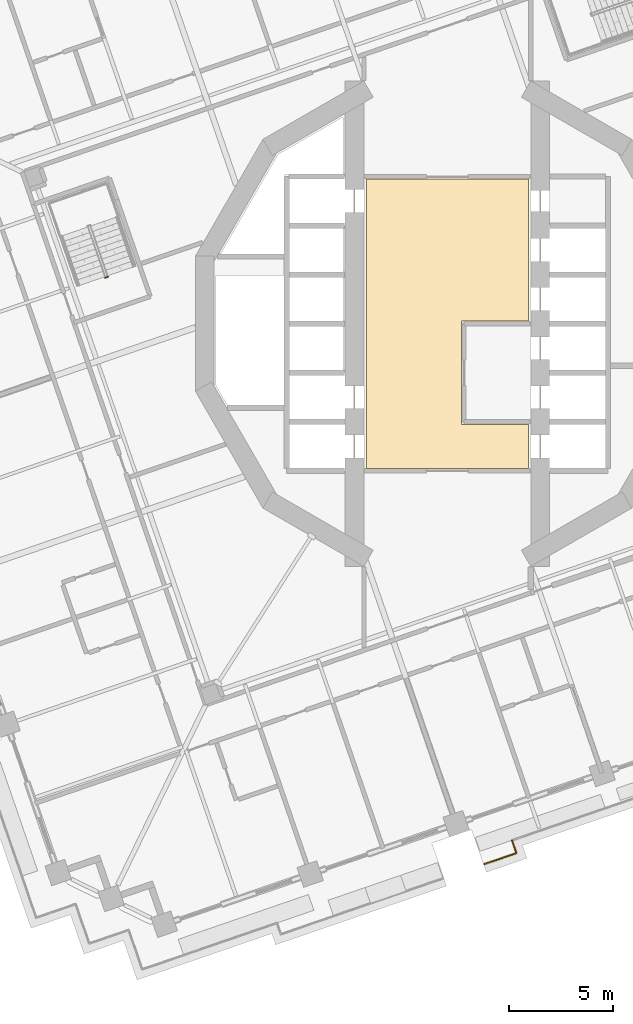
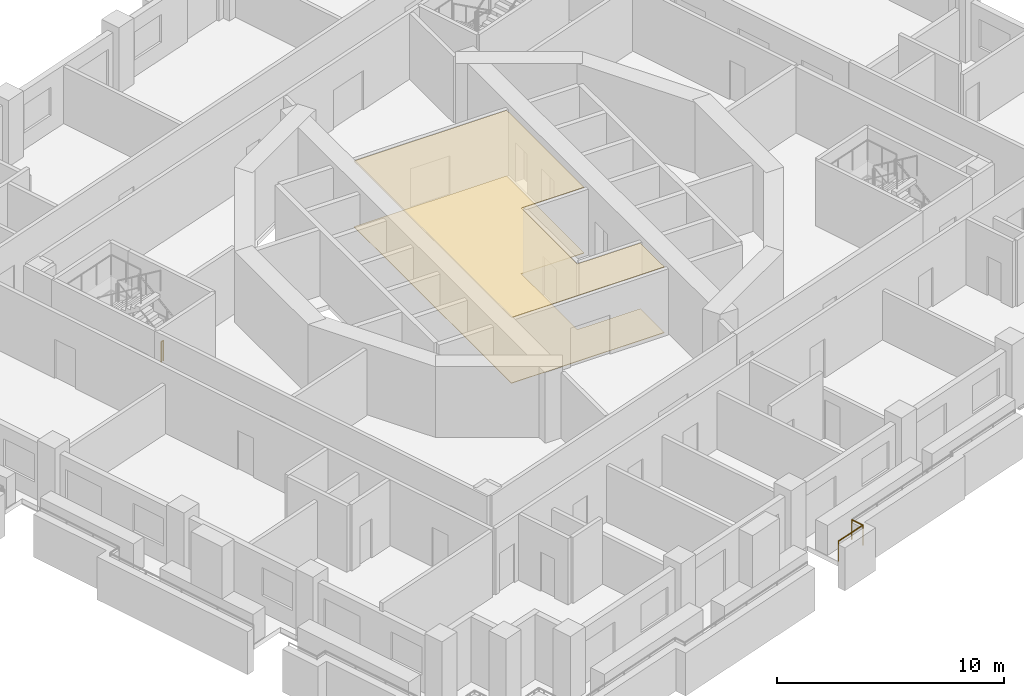
# One storey, part 13 of 19: 2 coverings, 2 railings.
"""IFC4 building model written with IfcOpenShell, lengths in metres."""

from ifc_helpers import new_model, si_unit, direction, frame, origin, origin_2d, place, context, subcontext, project, spatial, polyline, circle, outline, extrude, material, layer, layer_set, type_object, element, save


model = new_model("IFC4")

# Units and contexts
model_context = context("Model", 3, precision=1e-05, world=origin(), true_north=direction((0.0, 1.0)))
body_context = subcontext(model_context, "Body", "Model", "MODEL_VIEW")
ifc_project = project(units=[si_unit("LENGTHUNIT", "METRE"), si_unit("AREAUNIT", "SQUARE_METRE"), si_unit("VOLUMEUNIT", "CUBIC_METRE"), si_unit("PLANEANGLEUNIT", "RADIAN"), si_unit("MASSUNIT", "GRAM", prefix="KILO")], contexts=[model_context])

# Site, building, storey
site_placement = place(None, origin())
site = spatial("IfcSite", under=ifc_project, at=site_placement, CompositionType="ELEMENT")
building_placement = place(site_placement, origin())
building = spatial("IfcBuilding", under=site, at=building_placement, Name="Cantera Rosa Tower", CompositionType="ELEMENT")
storey_placement = place(building_placement, frame((0.0, 0.0, 123.10009765625)))
storey = spatial("IfcBuildingStorey", under=building, at=storey_placement, Name="L25", CompositionType="ELEMENT", Elevation=123.10009765625)

# Railings
ifc_material_1 = material(Name="Stainless steel and laminated glass", Category="steel")
railing_type_1 = type_object("IfcRailingType", Name="GUARD 1100", PredefinedType="BALUSTRADE", material=ifc_material_1)
railing_1_placement = place(storey_placement, frame((3.097900390625, -24.758544921875, 0.0)))
element("IfcRailing", 1, at=railing_1_placement, inside=storey, type_object=railing_type_1, Name="GUARD L25-3", PredefinedType="BALUSTRADE", context=body_context, shape_type="SweptSolid", body=[
    extrude(circle(Radius=0.030029296875, at=origin_2d()), frame((0.0, 0.0, 1.070068359375), z_axis=(0.32578247151, -0.945444753149, 0.0), x_axis=(0.945444753149, 0.32578247151, 0.0)), (0.0, 0.0, 1.0), 0.650390625),
    extrude(circle(Radius=0.030029296875, at=origin_2d()), frame((0.2119140625, -0.614990234375, 1.070068359375), z_axis=(-0.945523301181, -0.325554430047, 0.0), x_axis=(0.325554430047, -0.945523301181, 0.0)), (0.0, 0.0, 1.0), 1.638671875),
    extrude(circle(Radius=0.02490234375, at=origin_2d()), origin(), (0.0, 0.0, 1.0), 1.0400390625),
    extrude(circle(Radius=0.02490234375, at=origin_2d()), frame((0.2119140625, -0.614990234375, 0.0)), (0.0, 0.0, 1.0), 1.0400390625),
    extrude(circle(Radius=0.02490234375, at=origin_2d()), frame((-1.33740234375, -1.1484375, 0.0)), (0.0, 0.0, 1.0), 1.0400390625),
])
ifc_material_2 = material(Name="Steel S355J2 (EN 10025-2)", Category="steel")
railing_type_2 = type_object("IfcRailingType", Name="STAIR GUARD 1100", PredefinedType="GUARDRAIL", material=ifc_material_2)
railing_2_placement = place(storey_placement, frame((-16.257080078125, 2.25341796875, 0.0)))
element("IfcRailing", 2, at=railing_2_placement, inside=storey, type_object=railing_type_2, Name="L25 ST-22 stair guard 3", PredefinedType="GUARDRAIL", context=body_context, shape_type="SweptSolid", body=[
    extrude(circle(Radius=0.02392578125, at=origin_2d()), frame((0.0, 0.0, 1.076171875), z_axis=(-0.945545797087, -0.325489086777, 0.0), x_axis=(0.325489086777, -0.945545797087, 0.0)), (0.0, 0.0, 1.0), 0.14990234375),
    extrude(circle(Radius=0.02099609375, at=origin_2d()), origin(), (0.0, 0.0, 1.0), 1.052001953125),
    extrude(circle(Radius=0.02099609375, at=origin_2d()), frame((-0.141845703125, -0.048828125, 0.0)), (0.0, 0.0, 1.0), 1.052001953125),
])

# Coverings
ifc_material_3 = material(Name="Limestone paving", Category="masonry")
ifc_layer_1 = layer(ifc_material_3, 0.02490234375)
ifc_layer_set_1 = layer_set([ifc_layer_1], Name="STONE FLOOR FINISH 25")
covering_type_1 = type_object("IfcCoveringType", Name="STONE FLOOR FINISH 25", PredefinedType="FLOORING", material=ifc_layer_set_1)
covering_1_placement = place(storey_placement, origin())
element("IfcCovering", 3, at=covering_1_placement, inside=storey, type_object=covering_type_1, Name="STONE FLOOR FINISH L25", PredefinedType="FLOORING", context=body_context, shape_type="SweptSolid", body=[
    extrude(outline(polyline([(3.8798828125, 6.929931640625), (3.8798828125, 0.1201171875), (0.679931640625, 0.1201171875), (0.679931640625, -4.820068359375), (3.8798828125, -4.820068359375), (3.8798828125, -6.929931640625), (-3.8798828125, -6.929931640625), (-3.8798828125, 6.929931640625), (3.8798828125, 6.929931640625)])), origin(), (0.0, 0.0, 1.0), 0.02490234375),
])
ifc_material_4 = material(Name="Gypsum ceiling tile")
ifc_layer_2 = layer(ifc_material_4, 0.030029296875)
ifc_layer_set_2 = layer_set([ifc_layer_2], Name="SUSPENDED CEILING 30")
covering_type_2 = type_object("IfcCoveringType", Name="SUSPENDED CEILING 30", PredefinedType="CEILING", material=ifc_layer_set_2)
covering_2_placement = place(storey_placement, frame((0.0, 0.0, 3.52001953125)))
element("IfcCovering", 4, at=covering_2_placement, inside=storey, type_object=covering_type_2, Name="SUSPENDED CEILING L25", PredefinedType="CEILING", context=body_context, shape_type="SweptSolid", body=[
    extrude(outline(polyline([(3.8798828125, 6.929931640625), (3.8798828125, 0.1201171875), (0.679931640625, 0.1201171875), (0.679931640625, -4.820068359375), (3.8798828125, -4.820068359375), (3.8798828125, -6.929931640625), (-3.8798828125, -6.929931640625), (-3.8798828125, 6.929931640625), (3.8798828125, 6.929931640625)])), origin(), (0.0, 0.0, 1.0), 0.02978515625),
])

save(model, "model.ifc")
